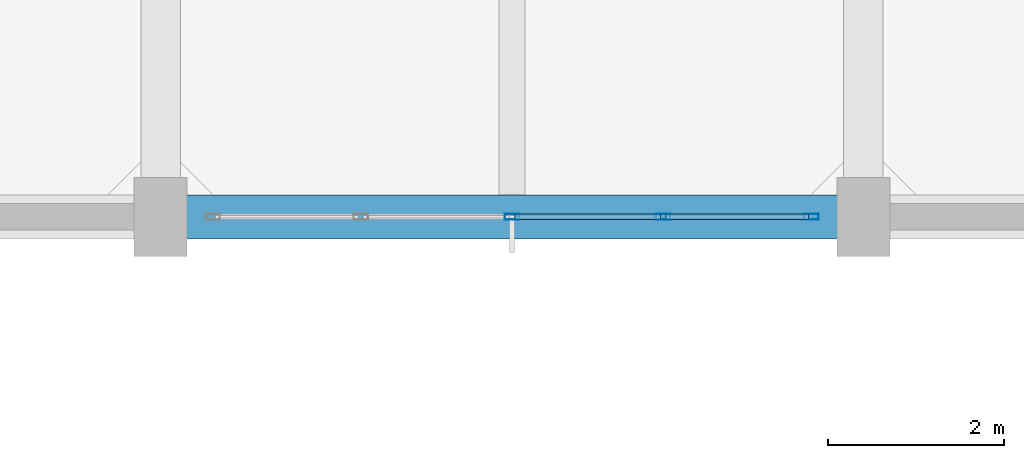
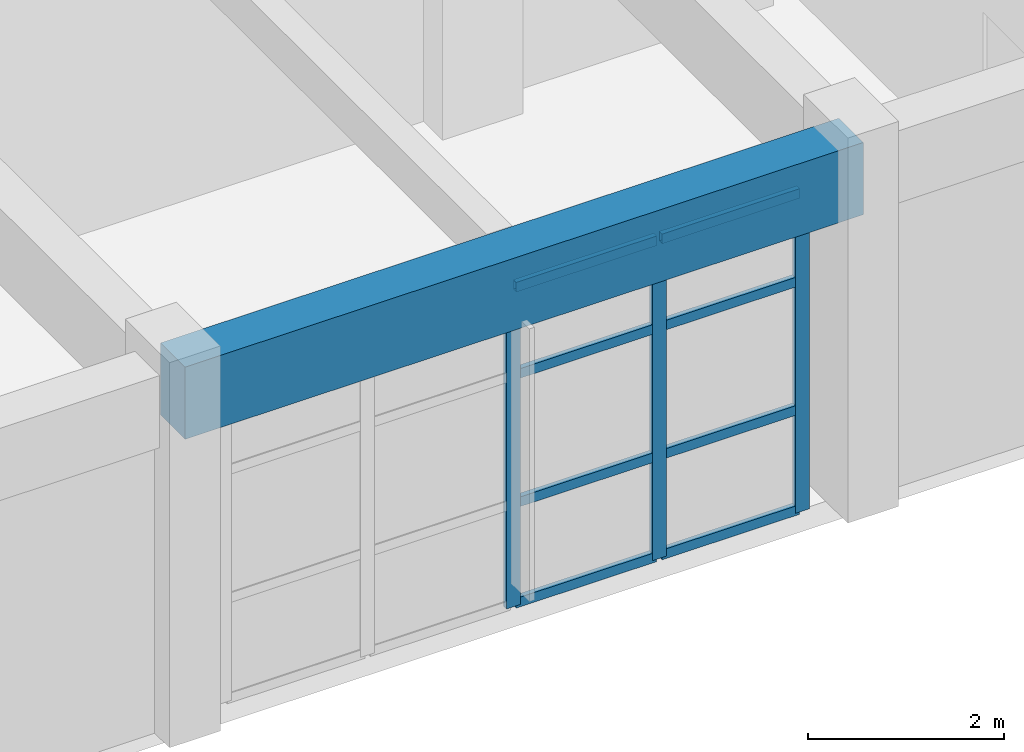
# One storey, part 185 of 248: 11 members, 1 beam, 1 element without a shape of its own.
"""IFC4 building model written with IfcOpenShell, lengths in metres."""

import ifcopenshell
import ifcopenshell.guid

model = None  # the IFC model being written
_history = None  # IfcOwnerHistory: only IFC2X3 demands one
_inside = {}  # id of a spatial element -> (the spatial element, [elements in it])
_under = {}  # id of a project, library or spatial element -> (it, [spatial elements below it])
_declared = {}  # id of a project -> (the project, [libraries it declares])
_typed = {}  # id of a type object -> (the type object, [elements of that type])
_made_of = {}  # id of a material, layer set ... -> (it, [elements and type objects made of it])


def new_model(schema):
    """Start an empty IFC model of exactly this schema.

    Asked for "IFC4X3", IfcOpenShell would pick the latest addendum, in which some entities
    have other attributes; the version numbers below select the first issue.
    IFC2X3 requires an IfcOwnerHistory on every rooted entity: one is made here for all.
    """
    global model, _history
    if schema == "IFC4X3":
        model = ifcopenshell.file(schema_version=(4, 3, 0, 0))
    else:
        model = ifcopenshell.file(schema=schema)
    _inside.clear()
    _under.clear()
    _declared.clear()
    _typed.clear()
    _made_of.clear()
    _history = None
    if model.schema == "IFC2X3":
        org = make("IfcOrganization", Name="unknown")
        user = make(
            "IfcPersonAndOrganization",
            ThePerson=make("IfcPerson", FamilyName="unknown"),
            TheOrganization=org,
        )
        app = make(
            "IfcApplication",
            ApplicationDeveloper=org,
            Version="unknown",
            ApplicationFullName="unknown",
            ApplicationIdentifier="unknown",
        )
        _history = make(
            "IfcOwnerHistory",
            OwningUser=user,
            OwningApplication=app,
            ChangeAction="ADDED",
            CreationDate=0,
        )
    return model


def make(cls, **values):
    """One entity of the class cls with the attributes given. An attribute that is None is left unset."""
    return model.create_entity(
        cls, **{name: value for name, value in values.items() if value is not None}
    )


def rooted(cls, **values):
    """An entity with a GlobalId (a new one), such as an element, a storey or a relation."""
    return make(cls, GlobalId=ifcopenshell.guid.new(), OwnerHistory=_history, **values)


def si_unit(unit_type, name, prefix=None):
    """IfcSIUnit, for example si_unit("LENGTHUNIT", "METRE", prefix="MILLI")."""
    return make("IfcSIUnit", UnitType=unit_type, Prefix=prefix, Name=name)


def assignment(units):
    """IfcUnitAssignment: the units of a project."""
    return None if units is None else make("IfcUnitAssignment", Units=units)


def point(xyz):
    """IfcCartesianPoint."""
    return None if xyz is None else make("IfcCartesianPoint", Coordinates=xyz)


def direction(xyz):
    """IfcDirection."""
    return None if xyz is None else make("IfcDirection", DirectionRatios=xyz)


def frame(location, z_axis=None, x_axis=None):
    """IfcAxis2Placement3D, a coordinate frame: its origin and axes. An axis left out is left unset."""
    return make(
        "IfcAxis2Placement3D",
        Location=point(location),
        Axis=direction(z_axis),
        RefDirection=direction(x_axis),
    )


def frame_2d(location, x_axis=None):
    """IfcAxis2Placement2D, a coordinate frame in the plane: its origin and x axis."""
    return make(
        "IfcAxis2Placement2D", Location=point(location), RefDirection=direction(x_axis)
    )


def origin():
    """The frame at (0, 0, 0) with its axes left unset."""
    return frame((0.0, 0.0, 0.0))


def origin_2d():
    """The frame at (0, 0) in the plane with its x axis left unset."""
    return frame_2d((0.0, 0.0))


def place(relative_to, where):
    """IfcLocalPlacement: puts the frame where relative to a parent placement (None: the world)."""
    return make(
        "IfcLocalPlacement", PlacementRelTo=relative_to, RelativePlacement=where
    )


def context(
    kind, dimensions, precision=None, world=None, true_north=None, identifier=None
):
    """IfcGeometricRepresentationContext, for example the 3D "Model" context."""
    return make(
        "IfcGeometricRepresentationContext",
        ContextIdentifier=identifier,
        ContextType=kind,
        CoordinateSpaceDimension=dimensions,
        Precision=precision,
        WorldCoordinateSystem=world,
        TrueNorth=true_north,
    )


def subcontext(parent, identifier, kind, view, scale=None):
    """IfcGeometricRepresentationSubContext, for example "Body" below "Model"."""
    return make(
        "IfcGeometricRepresentationSubContext",
        ContextIdentifier=identifier,
        ContextType=kind,
        ParentContext=parent,
        TargetScale=scale,
        TargetView=view,
    )


def project(units=None, contexts=None):
    """IfcProject with its units and contexts."""
    return rooted(
        "IfcProject",
        Name="project",
        RepresentationContexts=contexts,
        UnitsInContext=assignment(units),
    )


def spatial(cls, under=None, at=None, **own):
    """A site, building, storey or space (cls), placed at a placement, below another one or the project."""
    s = rooted(cls, ObjectPlacement=at, **own)
    if under is not None:
        _under.setdefault(under.id(), (under, []))[1].append(s)
    return s


def profile(cls, at=None, kind="AREA", **sizes):
    """A parametric profile (cls). Its sizes go by their IFC names, for example OverallWidth=200.0."""
    return make(cls, ProfileType=kind, Position=at, **sizes)


def rectangle(**sizes):
    """IfcRectangleProfileDef."""
    return profile("IfcRectangleProfileDef", **sizes)


def hollow_rectangle(**sizes):
    """IfcRectangleHollowProfileDef."""
    return profile("IfcRectangleHollowProfileDef", **sizes)


def extrude(swept, where, along, depth):
    """IfcExtrudedAreaSolid: the profile swept, set in the frame where, extruded along a direction by depth."""
    return make(
        "IfcExtrudedAreaSolid",
        SweptArea=swept,
        Position=where,
        ExtrudedDirection=direction(along),
        Depth=depth,
    )


def shape(context_of_items, identifier, shape_type, items):
    """IfcShapeRepresentation: the items that make up one representation, for example the "Body"."""
    return make(
        "IfcShapeRepresentation",
        ContextOfItems=context_of_items,
        RepresentationIdentifier=identifier,
        RepresentationType=shape_type,
        Items=items,
    )


def material(Name=None, Category=None):
    """IfcMaterial."""
    return make("IfcMaterial", Name=Name, Category=Category)


def layer(
    of_material, thickness, ventilated=None, Name=None, Category=None, Priority=None
):
    """IfcMaterialLayer: one layer of a wall or slab, of a material (None: an air gap)."""
    return make(
        "IfcMaterialLayer",
        Material=of_material,
        LayerThickness=thickness,
        IsVentilated=ventilated,
        Name=Name,
        Category=Category,
        Priority=Priority,
    )


def layer_set(layers, Name=None):
    """IfcMaterialLayerSet."""
    return make("IfcMaterialLayerSet", MaterialLayers=layers, LayerSetName=Name)


def material_profile(
    of_material, cross_section, Name=None, Category=None, Priority=None
):
    """IfcMaterialProfile: a cross section and its material."""
    return make(
        "IfcMaterialProfile",
        Name=Name,
        Material=of_material,
        Profile=cross_section,
        Priority=Priority,
        Category=Category,
    )


def profile_set(profiles, Name=None, composite=None):
    """IfcMaterialProfileSet."""
    return make(
        "IfcMaterialProfileSet",
        Name=Name,
        MaterialProfiles=profiles,
        CompositeProfile=composite,
    )


def made_of(thing, what):
    """Note that an element or type object is made of a material, layer set ...; save() writes the relation."""
    if what is not None:
        _made_of.setdefault(what.id(), (what, []))[1].append(thing)
    return thing


def type_object(cls, material=None, **own):
    """A type object (cls), such as IfcWallType, which elements share."""
    return made_of(rooted(cls, **own), material)


def element(
    cls,
    number,
    at=None,
    inside=None,
    cuts=None,
    type_object=None,
    material=None,
    context=None,
    identifier="Body",
    shape_type=None,
    held_by="IfcProductDefinitionShape",
    body=None,
    shapes=None,
    **own,
):
    """One element of the class cls, such as IfcWall. Its Tag is "e" and its number.

    at: its placement. inside: the storey or other place that contains it. cuts: it is an
    opening in that element (IfcRelVoidsElement). A single representation is given by context,
    identifier, shape_type and body (its items); several are given by shapes. held_by: the class
    of the entity that holds the representations. save() writes the other relations.
    """
    e = rooted(cls, Tag="e%d" % number, ObjectPlacement=at, **own)
    if body is not None:
        shapes = [shape(context, identifier, shape_type, body)]
    if shapes is not None:
        e.Representation = make(held_by, Representations=shapes)
    if inside is not None:
        _inside.setdefault(inside.id(), (inside, []))[1].append(e)
    if cuts is not None:
        rooted(
            "IfcRelVoidsElement", RelatingBuildingElement=cuts, RelatedOpeningElement=e
        )
    if type_object is not None:
        _typed.setdefault(type_object.id(), (type_object, []))[1].append(e)
    return made_of(e, material)


def aggregate(whole, parts):
    """IfcRelAggregates: a whole, such as a stair, and the parts it consists of."""
    return rooted("IfcRelAggregates", RelatingObject=whole, RelatedObjects=parts)


def save(model, path):
    """Write the relations noted so far, then the file.

    IfcRelAggregates (storeys below a building ...), IfcRelContainedInSpatialStructure (elements
    in a storey), IfcRelDefinesByType, IfcRelAssociatesMaterial and IfcRelDeclares: one each for
    every whole, place, type object, material and project.
    """
    for whole, parts in _under.values():
        aggregate(whole, parts)
    for where, things in _inside.values():
        rooted(
            "IfcRelContainedInSpatialStructure",
            RelatedElements=things,
            RelatingStructure=where,
        )
    for kind, things in _typed.values():
        rooted("IfcRelDefinesByType", RelatedObjects=things, RelatingType=kind)
    for what, things in _made_of.values():
        rooted("IfcRelAssociatesMaterial", RelatedObjects=things, RelatingMaterial=what)
    for by, libraries in _declared.values():
        rooted("IfcRelDeclares", RelatingContext=by, RelatedDefinitions=libraries)
    model.write(path)


model = new_model("IFC4")

# Units and contexts
model_context = context("Model", 3, precision=1e-05, world=origin(), true_north=direction((0.0, 1.0)))
body_context = subcontext(model_context, "Body", "Model", "MODEL_VIEW")
ifc_project = project(units=[si_unit("LENGTHUNIT", "METRE"), si_unit("AREAUNIT", "SQUARE_METRE"), si_unit("VOLUMEUNIT", "CUBIC_METRE"), si_unit("PLANEANGLEUNIT", "RADIAN"), si_unit("MASSUNIT", "GRAM", prefix="KILO")], contexts=[model_context])

# Site, building, storey
site_placement = place(None, origin())
site = spatial("IfcSite", under=ifc_project, at=site_placement, CompositionType="ELEMENT")
building_placement = place(site_placement, origin())
building = spatial("IfcBuilding", under=site, at=building_placement, Name="Canggui Botanical Conservatory", CompositionType="ELEMENT")
storey_placement = place(building_placement, frame((0.0, 0.0, 5.39990234375)))
storey = spatial("IfcBuildingStorey", under=building, at=storey_placement, Name="L02", CompositionType="ELEMENT", Elevation=5.39990234375)

# Beam
ifc_material_1 = material(Name="Concrete C35", Category="concrete")
ifc_material_profile_1 = material_profile(ifc_material_1, rectangle(XDim=0.5, YDim=0.89990234375, at=origin_2d()), Name="RB 500x900")
ifc_profile_set_1 = profile_set([ifc_material_profile_1], Name="Concrete C35")
beam_type = type_object("IfcBeamType", Name="BM-KL03", PredefinedType="BEAM", material=ifc_profile_set_1)
beam_placement = place(storey_placement, frame((146.0, 26.0, 4.070068359375), z_axis=(1.0, 0.0, 0.0), x_axis=(0.0, 1.0, 0.0)))
element("IfcBeam", 1, at=beam_placement, inside=storey, type_object=beam_type, Name="Frame Girder L02 Y26-3", PredefinedType="BEAM", context=body_context, shape_type="SweptSolid", body=[
    extrude(rectangle(XDim=0.5, YDim=0.89990234375, at=origin_2d()), origin(), (0.0, 0.0, 1.0), 8.0),
])

# Curtain wall, members
ifc_material_2 = material(Name="Thermally Broken Aluminium", Category="aluminium")
ifc_layer = layer(ifc_material_2, 0.1650390625, Name="Thermally Broken Aluminium", Category="aluminium")
ifc_layer_set = layer_set([ifc_layer], Name="Thermally Broken Aluminium")
curtain_wall_type = type_object("IfcCurtainWallType", Name="CW-UNIT-B", PredefinedType="USERDEFINED", material=ifc_layer_set)
curtain_wall_placement = place(storey_placement, origin())
curtain_wall = element("IfcCurtainWall", 2, at=curtain_wall_placement, inside=storey, type_object=curtain_wall_type, Name="Facade Curtain Wall CW-TWR-L02-04", ObjectType="UNITISED CURTAIN WALL", PredefinedType="USERDEFINED")
ifc_material_profile_2 = material_profile(ifc_material_2, hollow_rectangle(XDim=0.06494140625, YDim=0.1650390625, WallThickness=0.00390625, at=origin_2d()), Name="CWM 65x165x4")
ifc_profile_set_2 = profile_set([ifc_material_profile_2], Name="Thermally Broken Aluminium")
member_type_1 = type_object("IfcMemberType", Name="CWM-02", PredefinedType="MULLION", material=ifc_profile_set_2)
member_1_placement = place(storey_placement, frame((153.407470703125, 26.0, 0.0), z_axis=(0.0, 0.0, 1.0), x_axis=(0.0, -1.0, 0.0)))
member_1 = element("IfcMember", 3, at=member_1_placement, type_object=member_type_1, Name="CW-02 mullion 1", PredefinedType="MULLION", context=body_context, shape_type="SweptSolid", body=[
    extrude(hollow_rectangle(XDim=0.06494140625, YDim=0.1650390625, WallThickness=0.00390625, at=origin_2d()), origin(), (0.0, 0.0, 1.0), 4.0),
])
member_2_placement = place(storey_placement, frame((151.719970703125, 26.0, 0.0), z_axis=(0.0, 0.0, 1.0), x_axis=(0.0, -1.0, 0.0)))
member_2 = element("IfcMember", 4, at=member_2_placement, type_object=member_type_1, Name="CW-02 mullion 2", PredefinedType="MULLION", context=body_context, shape_type="SweptSolid", body=[
    extrude(hollow_rectangle(XDim=0.06494140625, YDim=0.1650390625, WallThickness=0.00390625, at=origin_2d()), origin(), (0.0, 0.0, 1.0), 4.0),
])
member_3_placement = place(storey_placement, frame((150.0, 26.0, 0.0), z_axis=(0.0, 0.0, 1.0), x_axis=(0.0, -1.0, 0.0)))
member_3 = element("IfcMember", 5, at=member_3_placement, type_object=member_type_1, Name="CW-02 mullion 3", PredefinedType="MULLION", context=body_context, shape_type="SweptSolid", body=[
    extrude(hollow_rectangle(XDim=0.06494140625, YDim=0.1650390625, WallThickness=0.00390625, at=origin_2d()), origin(), (0.0, 0.0, 1.0), 4.0),
])
ifc_material_profile_3 = material_profile(ifc_material_2, hollow_rectangle(XDim=0.06005859375, YDim=0.1201171875, WallThickness=0.00341796875, at=origin_2d()), Name="CWT 60x120x3.5")
ifc_profile_set_3 = profile_set([ifc_material_profile_3], Name="Thermally Broken Aluminium")
member_type_2 = type_object("IfcMemberType", Name="CWT-02", PredefinedType="USERDEFINED", material=ifc_profile_set_3)
member_4_placement = place(storey_placement, frame((153.375, 26.0, 0.030029296875), z_axis=(-1.0, 0.0, 0.0), x_axis=(0.0, -1.0, 0.0)))
member_4 = element("IfcMember", 6, at=member_4_placement, type_object=member_type_2, Name="CW-02 transom 1.1", ObjectType="TRANSOM", PredefinedType="USERDEFINED", context=body_context, shape_type="SweptSolid", body=[
    extrude(hollow_rectangle(XDim=0.06005859375, YDim=0.1201171875, WallThickness=0.00341796875, at=origin_2d()), origin(), (0.0, 0.0, 1.0), 1.62255859375),
])
member_5_placement = place(storey_placement, frame((153.375, 26.0, 1.280029296875), z_axis=(-1.0, 0.0, 0.0), x_axis=(0.0, -1.0, 0.0)))
member_5 = element("IfcMember", 7, at=member_5_placement, type_object=member_type_2, Name="CW-02 transom 1.2", ObjectType="TRANSOM", PredefinedType="USERDEFINED", context=body_context, shape_type="SweptSolid", body=[
    extrude(hollow_rectangle(XDim=0.06005859375, YDim=0.1201171875, WallThickness=0.00341796875, at=origin_2d()), origin(), (0.0, 0.0, 1.0), 1.62255859375),
])
member_6_placement = place(storey_placement, frame((153.375, 26.0, 2.880126953125), z_axis=(-1.0, 0.0, 0.0), x_axis=(0.0, -1.0, 0.0)))
member_6 = element("IfcMember", 8, at=member_6_placement, type_object=member_type_2, Name="CW-02 transom 1.3", ObjectType="TRANSOM", PredefinedType="USERDEFINED", context=body_context, shape_type="SweptSolid", body=[
    extrude(hollow_rectangle(XDim=0.06005859375, YDim=0.1201171875, WallThickness=0.00341796875, at=origin_2d()), origin(), (0.0, 0.0, 1.0), 1.62255859375),
])
member_7_placement = place(storey_placement, frame((153.375, 26.0, 3.97021484375), z_axis=(-1.0, 0.0, 0.0), x_axis=(0.0, -1.0, 0.0)))
member_7 = element("IfcMember", 9, at=member_7_placement, type_object=member_type_2, Name="CW-02 transom 1.4", ObjectType="TRANSOM", PredefinedType="USERDEFINED", context=body_context, shape_type="SweptSolid", body=[
    extrude(hollow_rectangle(XDim=0.06005859375, YDim=0.1201171875, WallThickness=0.00341796875, at=origin_2d()), origin(), (0.0, 0.0, 1.0), 1.62255859375),
])
member_8_placement = place(storey_placement, frame((151.6875, 26.0, 0.030029296875), z_axis=(-1.0, 0.0, 0.0), x_axis=(0.0, -1.0, 0.0)))
member_8 = element("IfcMember", 10, at=member_8_placement, type_object=member_type_2, Name="CW-02 transom 2.1", ObjectType="TRANSOM", PredefinedType="USERDEFINED", context=body_context, shape_type="SweptSolid", body=[
    extrude(hollow_rectangle(XDim=0.06005859375, YDim=0.1201171875, WallThickness=0.00341796875, at=origin_2d()), origin(), (0.0, 0.0, 1.0), 1.655029296875),
])
member_9_placement = place(storey_placement, frame((151.6875, 26.0, 1.280029296875), z_axis=(-1.0, 0.0, 0.0), x_axis=(0.0, -1.0, 0.0)))
member_9 = element("IfcMember", 11, at=member_9_placement, type_object=member_type_2, Name="CW-02 transom 2.2", ObjectType="TRANSOM", PredefinedType="USERDEFINED", context=body_context, shape_type="SweptSolid", body=[
    extrude(hollow_rectangle(XDim=0.06005859375, YDim=0.1201171875, WallThickness=0.00341796875, at=origin_2d()), origin(), (0.0, 0.0, 1.0), 1.655029296875),
])
member_10_placement = place(storey_placement, frame((151.6875, 26.0, 2.880126953125), z_axis=(-1.0, 0.0, 0.0), x_axis=(0.0, -1.0, 0.0)))
member_10 = element("IfcMember", 12, at=member_10_placement, type_object=member_type_2, Name="CW-02 transom 2.3", ObjectType="TRANSOM", PredefinedType="USERDEFINED", context=body_context, shape_type="SweptSolid", body=[
    extrude(hollow_rectangle(XDim=0.06005859375, YDim=0.1201171875, WallThickness=0.00341796875, at=origin_2d()), origin(), (0.0, 0.0, 1.0), 1.655029296875),
])
member_11_placement = place(storey_placement, frame((151.6875, 26.0, 3.97021484375), z_axis=(-1.0, 0.0, 0.0), x_axis=(0.0, -1.0, 0.0)))
member_11 = element("IfcMember", 13, at=member_11_placement, type_object=member_type_2, Name="CW-02 transom 2.4", ObjectType="TRANSOM", PredefinedType="USERDEFINED", context=body_context, shape_type="SweptSolid", body=[
    extrude(hollow_rectangle(XDim=0.06005859375, YDim=0.1201171875, WallThickness=0.00341796875, at=origin_2d()), origin(), (0.0, 0.0, 1.0), 1.655029296875),
])
aggregate(curtain_wall, [member_1, member_2, member_3, member_4, member_5, member_6, member_7, member_8, member_9, member_10, member_11])

save(model, "model.ifc")
